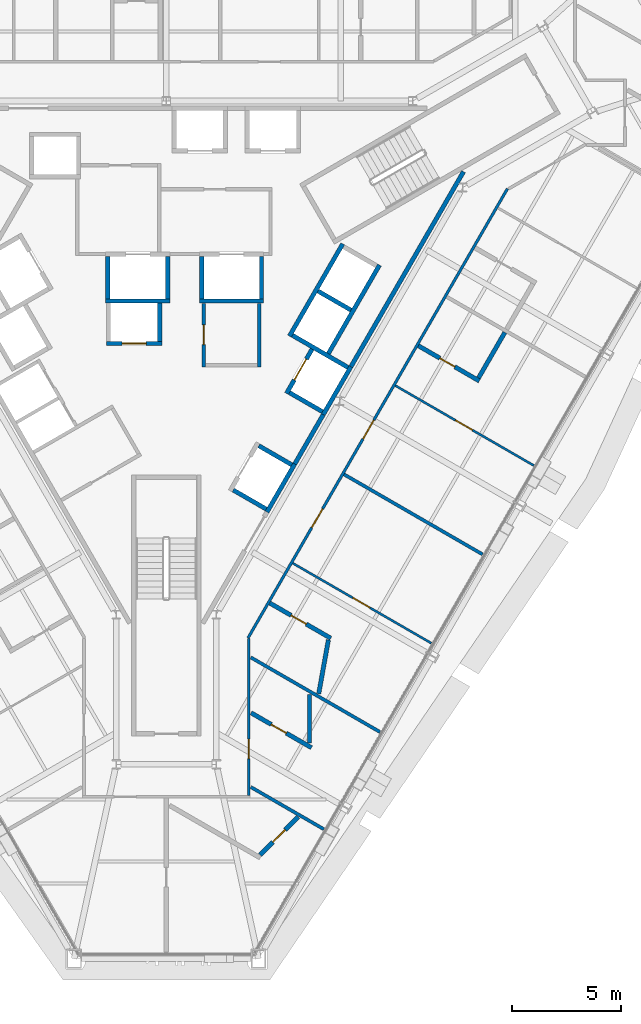
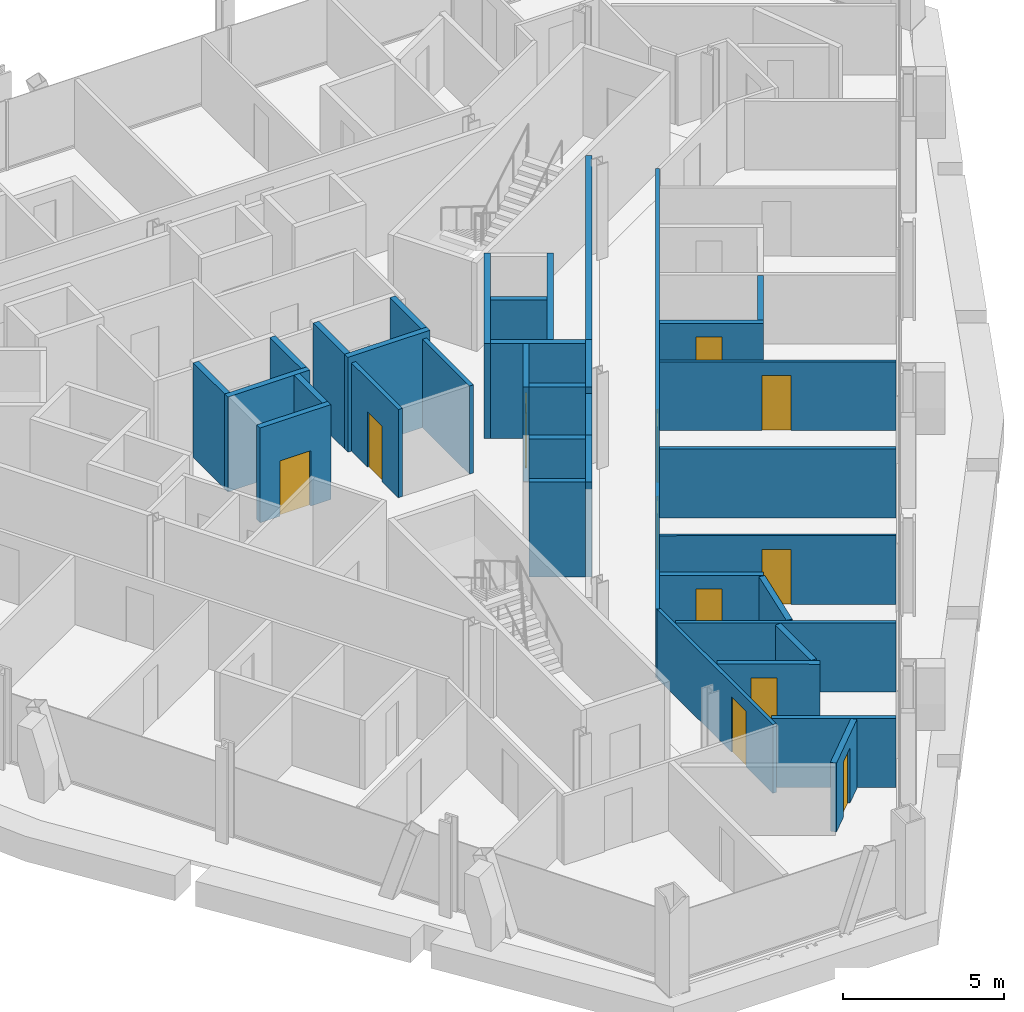
# One storey, part 11 of 16: 36 walls, 12 doors, 12 openings.
"""IFC4 building model written with IfcOpenShell, lengths in metres."""

from ifc_helpers import new_model, si_unit, direction, frame, frame_2d, origin, place, context, subcontext, project, spatial, rectangle, extrude, material, layer, layer_set, type_object, element, fill, save


model = new_model("IFC4")

# Units and contexts
model_context = context("Model", 3, precision=1e-05, world=origin(), true_north=direction((0.0, 1.0)))
body_context = subcontext(model_context, "Body", "Model", "MODEL_VIEW")
ifc_project = project(units=[si_unit("LENGTHUNIT", "METRE"), si_unit("AREAUNIT", "SQUARE_METRE"), si_unit("VOLUMEUNIT", "CUBIC_METRE"), si_unit("PLANEANGLEUNIT", "RADIAN"), si_unit("MASSUNIT", "GRAM", prefix="KILO")], contexts=[model_context])

# Site, building, storey
site_placement = place(None, origin())
site = spatial("IfcSite", under=ifc_project, at=site_placement, CompositionType="ELEMENT")
building_placement = place(site_placement, origin())
building = spatial("IfcBuilding", under=site, at=building_placement, Name="Verrane Prism Tower", CompositionType="ELEMENT")
storey_placement = place(building_placement, frame((0.0, 0.0, 110.800048828125)))
storey = spatial("IfcBuildingStorey", under=building, at=storey_placement, Name="L26", CompositionType="ELEMENT", Elevation=110.800048828125)

# Walls
ifc_material_1 = material(Name="Gypsum board partition", Category="other")
ifc_layer_1 = layer(ifc_material_1, 0.199951171875)
ifc_layer_set_1 = layer_set([ifc_layer_1], Name="CW-200 core boundary wall 2 h")
wall_type_1 = type_object("IfcWallType", Name="CW-200 core boundary wall 2 h", PredefinedType="PARTITIONING", material=ifc_layer_set_1)
wall_1_placement = place(storey_placement, frame((5.906005859375, -7.489990234375, 0.0), z_axis=(0.0, 0.0, 1.0), x_axis=(0.500252727967, 0.865879442048, 0.0)))
element("IfcWall", 1, at=wall_1_placement, inside=storey, type_object=wall_type_1, Name="Core boundary wall CW3-005", PredefinedType="PARTITIONING", context=body_context, shape_type="SweptSolid", body=[
    extrude(rectangle(XDim=2.616943359375, YDim=0.199951171875, at=frame_2d((1.30859375, 0.0))), origin(), (0.0, 0.0, 1.0), 3.349853515625),
])
wall_2_placement = place(storey_placement, frame((8.491943359375, -3.011962890625, 0.0), z_axis=(0.0, 0.0, 1.0), x_axis=(0.499972957231, 0.866041016371, 0.0)))
element("IfcWall", 2, at=wall_2_placement, inside=storey, type_object=wall_type_1, Name="Core boundary wall CW3-007", PredefinedType="PARTITIONING", context=body_context, shape_type="SweptSolid", body=[
    extrude(rectangle(XDim=10.3486328125, YDim=0.199951171875, at=frame_2d((5.17431640625, 0.0))), origin(), (0.0, 0.0, 1.0), 3.349853515625),
])

# Wall, opening, door
ifc_material_2 = material(Name="Gypsum board shaft wall assembly", Category="other")
ifc_layer_2 = layer(ifc_material_2, 0.199951171875)
ifc_layer_set_2 = layer_set([ifc_layer_2], Name="HW-200 lift shaft wall 2 h")
wall_type_2 = type_object("IfcWallType", Name="HW-200 lift shaft wall 2 h", PredefinedType="PARTITIONING", material=ifc_layer_set_2)
wall_3_placement = place(storey_placement, frame((-2.7548828125, -1.949951171875, 0.0), z_axis=(0.0, 0.0, 1.0), x_axis=(1.0, 0.0, 0.0)))
wall_3 = element("IfcWall", 3, at=wall_3_placement, inside=storey, type_object=wall_type_2, Name="Lift shaft wall", PredefinedType="PARTITIONING", context=body_context, shape_type="SweptSolid", body=[
    extrude(rectangle(XDim=2.5498046875, YDim=0.199951171875, at=frame_2d((1.27490234375, 0.0))), origin(), (0.0, 0.0, 1.0), 3.599853515625),
])
opening_1_placement = place(wall_3_placement, frame((0.72509765625, 0.0, 0.0)))
opening_1 = element("IfcOpeningElement", 4, at=opening_1_placement, cuts=wall_3, Name="Opening D24504", PredefinedType="OPENING", context=body_context, shape_type="SweptSolid", body=[
    extrude(rectangle(XDim=1.10009765625, YDim=2.10009765625, at=frame_2d((0.550048828125, 1.050048828125))), frame((0.0, 0.10986328125, 0.0), z_axis=(0.0, -1.0, 0.0), x_axis=(1.0, 0.0, 0.0)), (0.0, 0.0, 1.0), 0.219970703125),
])
ifc_material_3 = material(Name="Stainless steel sliding landing door", Category="steel")
door_type_1 = type_object("IfcDoorType", Name="LD-1100x2100 lift landing door FD90 sliding", OperationType="NOTDEFINED", PredefinedType="DOOR", material=ifc_material_3)
door_1_placement = place(opening_1_placement, origin())
door_1 = element("IfcDoor", 5, at=door_1_placement, inside=storey, type_object=door_type_1, Name="Bank A lift 2 landing door", OperationType="SLIDING_TO_RIGHT", OverallHeight=2.10009765625, OverallWidth=1.10009765625, PredefinedType="DOOR", context=body_context, shape_type="SweptSolid", body=[
    extrude(rectangle(XDim=1.10009765625, YDim=2.10009765625, at=frame_2d((0.550048828125, 1.050048828125))), frame((0.0, 0.02490234375, 0.0), z_axis=(0.0, -1.0, 0.0), x_axis=(1.0, 0.0, 0.0)), (0.0, 0.0, 1.0), 0.050048828125),
])
fill(opening_1, door_1)

# Walls
wall_4_placement = place(storey_placement, frame((-2.784912109375, 0.0, 0.0), z_axis=(0.0, 0.0, 1.0), x_axis=(1.0, 0.0, 0.0)))
element("IfcWall", 6, at=wall_4_placement, inside=storey, type_object=wall_type_2, Name="Lift shaft wall", PredefinedType="PARTITIONING", context=body_context, shape_type="SweptSolid", body=[
    extrude(rectangle(XDim=2.949951171875, YDim=0.199951171875, at=frame_2d((1.47509765625, 0.0))), origin(), (0.0, 0.0, 1.0), 3.599853515625),
])
wall_5_placement = place(storey_placement, frame((1.52490234375, 0.0, 0.0), z_axis=(0.0, 0.0, 1.0), x_axis=(1.0, 0.0, 0.0)))
element("IfcWall", 7, at=wall_5_placement, inside=storey, type_object=wall_type_2, Name="Lift shaft wall", PredefinedType="PARTITIONING", context=body_context, shape_type="SweptSolid", body=[
    extrude(rectangle(XDim=2.9501953125, YDim=0.199951171875, at=frame_2d((1.47509765625, 0.0))), origin(), (0.0, 0.0, 1.0), 3.599853515625),
])
wall_6_placement = place(storey_placement, frame((4.63037109375, -9.69970703125, 0.0), z_axis=(0.0, 0.0, 1.0), x_axis=(0.500062241894, 0.865989465428, 0.0)))
element("IfcWall", 8, at=wall_6_placement, inside=storey, type_object=wall_type_2, Name="Lift shaft wall", PredefinedType="PARTITIONING", context=body_context, shape_type="SweptSolid", body=[
    extrude(rectangle(XDim=2.550048828125, YDim=0.199951171875, at=frame_2d((1.27490234375, 0.0))), origin(), (0.0, 0.0, 1.0), 3.599853515625),
])
wall_7_placement = place(storey_placement, frame((7.215576171875, -5.222412109375, 0.0), z_axis=(0.0, 0.0, 1.0), x_axis=(0.499990435942, 0.866030925526, 0.0)))
element("IfcWall", 9, at=wall_7_placement, inside=storey, type_object=wall_type_2, Name="Lift shaft wall", PredefinedType="PARTITIONING", context=body_context, shape_type="SweptSolid", body=[
    extrude(rectangle(XDim=2.5498046875, YDim=0.199951171875, at=frame_2d((1.27490234375, 0.0))), origin(), (0.0, 0.0, 1.0), 3.599853515625),
])
wall_8_placement = place(storey_placement, frame((7.451171875, -2.4140625, 0.0), z_axis=(0.0, 0.0, 1.0), x_axis=(0.500016218704, 0.866016039709, 0.0)))
element("IfcWall", 10, at=wall_8_placement, inside=storey, type_object=wall_type_2, Name="Lift shaft wall", PredefinedType="PARTITIONING", context=body_context, shape_type="SweptSolid", body=[
    extrude(rectangle(XDim=4.699951171875, YDim=0.199951171875, at=frame_2d((2.35009765625, 0.0))), origin(), (0.0, 0.0, 1.0), 3.599853515625),
])

# Wall, opening, door
wall_9_placement = place(storey_placement, frame((5.52685546875, -4.247314453125, 0.0), z_axis=(0.0, 0.0, 1.0), x_axis=(0.499938297808, 0.866061024631, 0.0)))
wall_9 = element("IfcWall", 11, at=wall_9_placement, inside=storey, type_object=wall_type_2, Name="Lift shaft wall", PredefinedType="PARTITIONING", context=body_context, shape_type="SweptSolid", body=[
    extrude(rectangle(XDim=2.349853515625, YDim=0.199951171875, at=frame_2d((1.1748046875, 0.0))), origin(), (0.0, 0.0, 1.0), 3.599853515625),
])
opening_2_placement = place(wall_9_placement, frame((0.72509765625, 0.0, 0.0)))
opening_2 = element("IfcOpeningElement", 12, at=opening_2_placement, cuts=wall_9, Name="Opening D24507", PredefinedType="OPENING", context=body_context, shape_type="SweptSolid", body=[
    extrude(rectangle(XDim=1.10009765625, YDim=2.10009765625, at=frame_2d((0.550048828125, 1.050048828125))), frame((0.0, 0.10986328125, 0.0), z_axis=(0.0, -1.0, 0.0), x_axis=(1.0, 0.0, 0.0)), (0.0, 0.0, 1.0), 0.219970703125),
])
door_2_placement = place(opening_2_placement, origin())
door_2 = element("IfcDoor", 13, at=door_2_placement, inside=storey, type_object=door_type_1, Name="Bank A lift 5 landing door", OperationType="SLIDING_TO_LEFT", OverallHeight=2.10009765625, OverallWidth=1.10009765625, PredefinedType="DOOR", context=body_context, shape_type="SweptSolid", body=[
    extrude(rectangle(XDim=1.10009765625, YDim=2.10009765625, at=frame_2d((0.550048828125, 1.050048828125))), frame((0.0, 0.02490234375, 0.0), z_axis=(0.0, -1.0, 0.0), x_axis=(1.0, 0.0, 0.0)), (0.0, 0.0, 1.0), 0.050048828125),
])
fill(opening_2, door_2)

# Walls
wall_10_placement = place(storey_placement, frame((5.66259765625, -1.6123046875, 0.0), z_axis=(0.0, 0.0, 1.0), x_axis=(0.49998122708, 0.866036242063, 0.0)))
element("IfcWall", 14, at=wall_10_placement, inside=storey, type_object=wall_type_2, Name="Lift shaft wall", PredefinedType="PARTITIONING", context=body_context, shape_type="SweptSolid", body=[
    extrude(rectangle(XDim=4.900146484375, YDim=0.199951171875, at=frame_2d((2.4501953125, 0.0))), origin(), (0.0, 0.0, 1.0), 3.599853515625),
])
for number, where, z_axis, x_axis, name in (
    (15, (4.375, 0.10009765625, 0.0), (0.0, 0.0, 1.0), (0.0, 1.0, 0.0), "Lift shaft wall"),
    (16, (1.625, 0.10009765625, 0.0), (0.0, 0.0, 1.0), (0.0, 1.0, 0.0), "Lift shaft wall"),
    (17, (0.06494140625, 0.10009765625, 0.0), (0.0, 0.0, 1.0), (0.0, 1.0, 0.0), "Lift shaft wall"),
):
    element("IfcWall", number, at=place(storey_placement, frame(where, z_axis=z_axis, x_axis=x_axis)), inside=storey, type_object=wall_type_2, Name=name, PredefinedType="PARTITIONING", context=body_context, shape_type="SweptSolid", body=[
        extrude(rectangle(XDim=1.949951171875, YDim=0.199951171875, at=frame_2d((0.97509765625, 0.0))), origin(), (0.0, 0.0, 1.0), 3.599853515625),
    ])
wall_11_placement = place(storey_placement, frame((-0.304931640625, -1.85009765625, 0.0), z_axis=(0.0, 0.0, 1.0), x_axis=(0.0, 1.0, 0.0)))
element("IfcWall", 18, at=wall_11_placement, inside=storey, type_object=wall_type_2, Name="Lift shaft wall", PredefinedType="PARTITIONING", context=body_context, shape_type="SweptSolid", body=[
    extrude(rectangle(XDim=1.75, YDim=0.199951171875, at=frame_2d((0.875, 0.0))), origin(), (0.0, 0.0, 1.0), 3.599853515625),
])
wall_12_placement = place(storey_placement, frame((-2.68505859375, 0.10009765625, 0.0), z_axis=(0.0, 0.0, 1.0), x_axis=(0.0, 1.0, 0.0)))
element("IfcWall", 19, at=wall_12_placement, inside=storey, type_object=wall_type_2, Name="Lift shaft wall", PredefinedType="PARTITIONING", context=body_context, shape_type="SweptSolid", body=[
    extrude(rectangle(XDim=1.949951171875, YDim=0.199951171875, at=frame_2d((0.97509765625, 0.0))), origin(), (0.0, 0.0, 1.0), 3.599853515625),
])
wall_13_placement = place(storey_placement, frame((8.48974609375, -0.41552734375, 0.0), z_axis=(0.0, 0.0, 1.0), x_axis=(-0.866036909293, 0.499980071345, 0.0)))
element("IfcWall", 20, at=wall_13_placement, inside=storey, type_object=wall_type_2, Name="Lift shaft wall", PredefinedType="PARTITIONING", context=body_context, shape_type="SweptSolid", body=[
    extrude(rectangle(XDim=1.75, YDim=0.199951171875, at=frame_2d((0.875, 0.0))), origin(), (0.0, 0.0, 1.0), 3.599853515625),
])
wall_14_placement = place(storey_placement, frame((8.35400390625, -3.050537109375, 0.0), z_axis=(0.0, 0.0, 1.0), x_axis=(-0.866060182126, 0.499939757307, 0.0)))
element("IfcWall", 21, at=wall_14_placement, inside=storey, type_object=wall_type_2, Name="Lift shaft wall", PredefinedType="PARTITIONING", context=body_context, shape_type="SweptSolid", body=[
    extrude(rectangle(XDim=2.949951171875, YDim=0.199951171875, at=frame_2d((1.47509765625, 0.0))), origin(), (0.0, 0.0, 1.0), 3.599853515625),
])
wall_15_placement = place(storey_placement, frame((7.178955078125, -5.085693359375, 0.0), z_axis=(0.0, 0.0, 1.0), x_axis=(-0.866036909293, 0.499980071345, 0.0)))
element("IfcWall", 22, at=wall_15_placement, inside=storey, type_object=wall_type_2, Name="Lift shaft wall", PredefinedType="PARTITIONING", context=body_context, shape_type="SweptSolid", body=[
    extrude(rectangle(XDim=1.75, YDim=0.199951171875, at=frame_2d((0.875, 0.0))), origin(), (0.0, 0.0, 1.0), 3.599853515625),
])
wall_16_placement = place(storey_placement, frame((5.768798828125, -7.528076171875, 0.0), z_axis=(0.0, 0.0, 1.0), x_axis=(-0.866002029911, 0.500040482552, 0.0)))
element("IfcWall", 23, at=wall_16_placement, inside=storey, type_object=wall_type_2, Name="Lift shaft wall", PredefinedType="PARTITIONING", context=body_context, shape_type="SweptSolid", body=[
    extrude(rectangle(XDim=1.749755859375, YDim=0.199951171875, at=frame_2d((0.875, 0.0))), origin(), (0.0, 0.0, 1.0), 3.599853515625),
])
wall_17_placement = place(storey_placement, frame((4.593994140625, -9.563232421875, 0.0), z_axis=(0.0, 0.0, 1.0), x_axis=(-0.866036909293, 0.499980071345, 0.0)))
element("IfcWall", 24, at=wall_17_placement, inside=storey, type_object=wall_type_2, Name="Lift shaft wall", PredefinedType="PARTITIONING", context=body_context, shape_type="SweptSolid", body=[
    extrude(rectangle(XDim=1.75, YDim=0.199951171875, at=frame_2d((0.875, 0.0))), origin(), (0.0, 0.0, 1.0), 3.599853515625),
])

# Wall, opening, door
ifc_material_4 = material(Name="Gypsum board partition", Category="other")
ifc_layer_3 = layer(ifc_material_4, 0.10009765625)
ifc_layer_set_3 = layer_set([ifc_layer_3], Name="PW-100 room partition")
wall_type_3 = type_object("IfcWallType", Name="PW-100 room partition", PredefinedType="PARTITIONING", material=ifc_layer_set_3)
wall_18_placement = place(storey_placement, frame((12.1826171875, -15.728759765625, 0.0), z_axis=(0.0, 0.0, 1.0), x_axis=(-0.866066702559, 0.499928461601, 0.0)))
wall_18 = element("IfcWall", 25, at=wall_18_placement, inside=storey, type_object=wall_type_3, Name="Room partition 052", PredefinedType="PARTITIONING", context=body_context, shape_type="SweptSolid", body=[
    extrude(rectangle(XDim=7.35205078125, YDim=0.10009765625, at=frame_2d((3.676025390625, 0.0))), origin(), (0.0, 0.0, 1.0), 2.613037109375),
])
opening_3_placement = place(wall_18_placement, frame((3.2646484375, 0.0, 0.0)))
opening_3 = element("IfcOpeningElement", 26, at=opening_3_placement, cuts=wall_18, Name="Opening D24004", PredefinedType="OPENING", context=body_context, shape_type="SweptSolid", body=[
    extrude(rectangle(XDim=0.89990234375, YDim=2.10009765625, at=frame_2d((0.449951171875, 1.050048828125))), frame((0.0, 0.06005859375, 0.0), z_axis=(0.0, -1.0, 0.0), x_axis=(1.0, 0.0, 0.0)), (0.0, 0.0, 1.0), 0.1201171875),
])
ifc_material_5 = material(Name="Timber veneered door leaf", Category="wood")
door_type_2 = type_object("IfcDoorType", Name="DR-900x2100 single leaf inner", OperationType="NOTDEFINED", PredefinedType="DOOR", material=ifc_material_5)
door_3_placement = place(opening_3_placement, origin())
door_3 = element("IfcDoor", 27, at=door_3_placement, inside=storey, type_object=door_type_2, Name="Suite Living Room door", OperationType="SINGLE_SWING_LEFT", OverallHeight=2.10009765625, OverallWidth=0.89990234375, PredefinedType="DOOR", context=body_context, shape_type="SweptSolid", body=[
    extrude(rectangle(XDim=0.89990234375, YDim=2.10009765625, at=frame_2d((0.449951171875, 1.050048828125))), frame((0.0, 0.02490234375, 0.0), z_axis=(0.0, -1.0, 0.0), x_axis=(1.0, 0.0, 0.0)), (0.0, 0.0, 1.0), 0.050048828125),
])
fill(opening_3, door_3)

wall_19_placement = place(storey_placement, frame((10.530029296875, -3.88623046875, 0.0), z_axis=(0.0, 0.0, 1.0), x_axis=(0.8660606245, -0.499938990969, 0.0)))
wall_19 = element("IfcWall", 28, at=wall_19_placement, inside=storey, type_object=wall_type_3, Name="Room partition 059", PredefinedType="PARTITIONING", context=body_context, shape_type="SweptSolid", body=[
    extrude(rectangle(XDim=7.3525390625, YDim=0.10009765625, at=frame_2d((3.67626953125, 0.0))), origin(), (0.0, 0.0, 1.0), 2.613037109375),
])
opening_4_placement = place(wall_19_placement, frame((3.1875, 0.0, 0.0)))
opening_4 = element("IfcOpeningElement", 29, at=opening_4_placement, cuts=wall_19, Name="Opening D24007", PredefinedType="OPENING", context=body_context, shape_type="SweptSolid", body=[
    extrude(rectangle(XDim=0.89990234375, YDim=2.10009765625, at=frame_2d((0.449951171875, 1.050048828125))), frame((0.0, 0.06005859375, 0.0), z_axis=(0.0, -1.0, 0.0), x_axis=(1.0, 0.0, 0.0)), (0.0, 0.0, 1.0), 0.1201171875),
])
door_4_placement = place(opening_4_placement, origin())
door_4 = element("IfcDoor", 30, at=door_4_placement, inside=storey, type_object=door_type_2, Name="Suite Living Room door", OperationType="SINGLE_SWING_LEFT", OverallHeight=2.10009765625, OverallWidth=0.89990234375, PredefinedType="DOOR", context=body_context, shape_type="SweptSolid", body=[
    extrude(rectangle(XDim=0.89990234375, YDim=2.10009765625, at=frame_2d((0.449951171875, 1.050048828125))), frame((0.0, 0.02490234375, 0.0), z_axis=(0.0, -1.0, 0.0), x_axis=(1.0, 0.0, 0.0)), (0.0, 0.0, 1.0), 0.050048828125),
])
fill(opening_4, door_4)

ifc_material_6 = material(Name="Gypsum board partition", Category="other")
ifc_layer_4 = layer(ifc_material_6, 0.125)
ifc_layer_set_4 = layer_set([ifc_layer_4], Name="PW-125 corridor wall 1 h")
wall_type_4 = type_object("IfcWallType", Name="PW-125 corridor wall 1 h", PredefinedType="PARTITIONING", material=ifc_layer_set_4)
wall_20_placement = place(storey_placement, frame((3.787109375, -15.52490234375, 0.0), z_axis=(0.0, 0.0, 1.0), x_axis=(0.0, -1.0, 0.0)))
wall_20 = element("IfcWall", 31, at=wall_20_placement, inside=storey, type_object=wall_type_4, Name="Corridor wall 045", PredefinedType="PARTITIONING", context=body_context, shape_type="SweptSolid", body=[
    extrude(rectangle(XDim=7.197021484375, YDim=0.125, at=frame_2d((3.5986328125, 0.0))), origin(), (0.0, 0.0, 1.0), 2.613037109375),
])
opening_5_placement = place(wall_20_placement, frame((4.612060546875, 0.0, 0.0)))
opening_5 = element("IfcOpeningElement", 32, at=opening_5_placement, cuts=wall_20, Name="Opening D24001", PredefinedType="OPENING", context=body_context, shape_type="SweptSolid", body=[
    extrude(rectangle(XDim=0.89990234375, YDim=2.10009765625, at=frame_2d((0.449951171875, 1.050048828125))), frame((0.0, 0.072509765625, 0.0), z_axis=(0.0, -1.0, 0.0), x_axis=(1.0, 0.0, 0.0)), (0.0, 0.0, 1.0), 0.14501953125),
])
ifc_material_7 = material(Name="Timber veneered door leaf", Category="wood")
door_type_3 = type_object("IfcDoorType", Name="DR-900x2100 FD20 single leaf unit", OperationType="NOTDEFINED", PredefinedType="DOOR", material=ifc_material_7)
door_5_placement = place(opening_5_placement, origin())
door_5 = element("IfcDoor", 33, at=door_5_placement, inside=storey, type_object=door_type_3, Name="Guest Room door", OperationType="SINGLE_SWING_RIGHT", OverallHeight=2.10009765625, OverallWidth=0.89990234375, PredefinedType="DOOR", context=body_context, shape_type="SweptSolid", body=[
    extrude(rectangle(XDim=0.89990234375, YDim=2.10009765625, at=frame_2d((0.449951171875, 1.050048828125))), frame((0.0, 0.02490234375, 0.0), z_axis=(0.0, -1.0, 0.0), x_axis=(1.0, 0.0, 0.0)), (0.0, 0.0, 1.0), 0.050048828125),
])
fill(opening_5, door_5)

# Wall, openings, doors
wall_21_placement = place(storey_placement, frame((15.684326171875, 5.1650390625, 0.0), z_axis=(0.0, 0.0, 1.0), x_axis=(-0.500027787016, -0.866009360349, 0.0)))
wall_21 = element("IfcWall", 34, at=wall_21_placement, inside=storey, type_object=wall_type_4, Name="Corridor wall 049", PredefinedType="PARTITIONING", context=body_context, shape_type="SweptSolid", body=[
    extrude(rectangle(XDim=23.855712890625, YDim=0.125, at=frame_2d((11.927734375, 0.0))), origin(), (0.0, 0.0, 1.0), 2.613037109375),
])
opening_6_placement = place(wall_21_placement, frame((16.99609375, 0.0, 0.0)))
opening_6 = element("IfcOpeningElement", 35, at=opening_6_placement, cuts=wall_21, Name="Opening D24003", PredefinedType="OPENING", context=body_context, shape_type="SweptSolid", body=[
    extrude(rectangle(XDim=1.0, YDim=2.10009765625, at=frame_2d((0.5, 1.050048828125))), frame((0.0, 0.072509765625, 0.0), z_axis=(0.0, -1.0, 0.0), x_axis=(1.0, 0.0, 0.0)), (0.0, 0.0, 1.0), 0.14501953125),
])
opening_7_placement = place(wall_21_placement, frame((12.2802734375, 0.0, 0.0)))
opening_7 = element("IfcOpeningElement", 36, at=opening_7_placement, cuts=wall_21, Name="Opening D24006", PredefinedType="OPENING", context=body_context, shape_type="SweptSolid", body=[
    extrude(rectangle(XDim=1.0, YDim=2.10009765625, at=frame_2d((0.5, 1.050048828125))), frame((0.0, 0.072509765625, 0.0), z_axis=(0.0, -1.0, 0.0), x_axis=(1.0, 0.0, 0.0)), (0.0, 0.0, 1.0), 0.14501953125),
])
ifc_material_8 = material(Name="Timber veneered door leaf", Category="wood")
door_type_4 = type_object("IfcDoorType", Name="DR-1000x2100 FD20 single leaf unit", OperationType="NOTDEFINED", PredefinedType="DOOR", material=ifc_material_8)
door_6_placement = place(opening_6_placement, origin())
door_6 = element("IfcDoor", 37, at=door_6_placement, inside=storey, type_object=door_type_4, Name="Suite Living Room door", OperationType="SINGLE_SWING_RIGHT", OverallHeight=2.10009765625, OverallWidth=1.0, PredefinedType="DOOR", context=body_context, shape_type="SweptSolid", body=[
    extrude(rectangle(XDim=1.0, YDim=2.10009765625, at=frame_2d((0.5, 1.050048828125))), frame((0.0, 0.02490234375, 0.0), z_axis=(0.0, -1.0, 0.0), x_axis=(1.0, 0.0, 0.0)), (0.0, 0.0, 1.0), 0.050048828125),
])
fill(opening_6, door_6)
door_7_placement = place(opening_7_placement, origin())
door_7 = element("IfcDoor", 38, at=door_7_placement, inside=storey, type_object=door_type_4, Name="Suite Living Room door", OperationType="SINGLE_SWING_LEFT", OverallHeight=2.10009765625, OverallWidth=1.0, PredefinedType="DOOR", context=body_context, shape_type="SweptSolid", body=[
    extrude(rectangle(XDim=1.0, YDim=2.10009765625, at=frame_2d((0.5, 1.050048828125))), frame((0.0, 0.02490234375, 0.0), z_axis=(0.0, -1.0, 0.0), x_axis=(1.0, 0.0, 0.0)), (0.0, 0.0, 1.0), 0.050048828125),
])
fill(opening_7, door_7)

# Walls
ifc_material_9 = material(Name="Gypsum board partition", Category="other")
ifc_layer_5 = layer(ifc_material_9, 0.14990234375)
ifc_layer_set_5 = layer_set([ifc_layer_5], Name="PW-150 demising wall 1 h")
wall_type_5 = type_object("IfcWallType", Name="PW-150 demising wall 1 h", PredefinedType="PARTITIONING", material=ifc_layer_set_5)
wall_22_placement = place(storey_placement, frame((3.886962890625, -22.3447265625, 0.0), z_axis=(0.0, 0.0, 1.0), x_axis=(0.865997824551, -0.500047765591, 0.0)))
element("IfcWall", 39, at=wall_22_placement, inside=storey, type_object=wall_type_5, Name="Demising wall 046", PredefinedType="PARTITIONING", context=body_context, shape_type="SweptSolid", body=[
    extrude(rectangle(XDim=3.8759765625, YDim=0.14990234375, at=frame_2d((1.93798828125, 0.0))), origin(), (0.0, 0.0, 1.0), 2.613037109375),
])
wall_23_placement = place(storey_placement, frame((3.886962890625, -16.384765625, 0.0), z_axis=(0.0, 0.0, 1.0), x_axis=(0.86602133163, -0.500007053112, 0.0)))
element("IfcWall", 40, at=wall_23_placement, inside=storey, type_object=wall_type_5, Name="Demising wall 048", PredefinedType="PARTITIONING", context=body_context, shape_type="SweptSolid", body=[
    extrude(rectangle(XDim=6.8564453125, YDim=0.14990234375, at=frame_2d((3.42822265625, 0.0))), origin(), (0.0, 0.0, 1.0), 2.613037109375),
])
wall_24_placement = place(storey_placement, frame((8.173095703125, -7.96923828125, 0.0), z_axis=(0.0, 0.0, 1.0), x_axis=(0.86596990005, -0.500096122968, 0.0)))
element("IfcWall", 41, at=wall_24_placement, inside=storey, type_object=wall_type_5, Name="Demising wall 056", PredefinedType="PARTITIONING", context=body_context, shape_type="SweptSolid", body=[
    extrude(rectangle(XDim=7.35205078125, YDim=0.14990234375, at=frame_2d((3.676025390625, 0.0))), origin(), (0.0, 0.0, 1.0), 2.613037109375),
])

# Wall, opening, door
ifc_material_10 = material(Name="Gypsum board partition", Category="other")
ifc_layer_6 = layer(ifc_material_10, 0.199951171875)
ifc_layer_set_6 = layer_set([ifc_layer_6], Name="PW-200 plumbing wall")
wall_type_6 = type_object("IfcWallType", Name="PW-200 plumbing wall", PredefinedType="PARTITIONING", material=ifc_layer_set_6)
wall_25_placement = place(storey_placement, frame((3.8994140625, -18.931884765625, 0.0), z_axis=(0.0, 0.0, 1.0), x_axis=(0.865973625928, -0.500089671156, 0.0)))
wall_25 = element("IfcWall", 42, at=wall_25_placement, inside=storey, type_object=wall_type_6, Name="Plumbing wall 047", PredefinedType="PARTITIONING", context=body_context, shape_type="SweptSolid", body=[
    extrude(rectangle(XDim=3.20361328125, YDim=0.199951171875, at=frame_2d((1.601806640625, 0.0))), origin(), (0.0, 0.0, 1.0), 2.613037109375),
])
opening_8_placement = place(wall_25_placement, frame((1.070068359375, 0.0, 0.0)))
opening_8 = element("IfcOpeningElement", 43, at=opening_8_placement, cuts=wall_25, Name="Opening D24002", PredefinedType="OPENING", context=body_context, shape_type="SweptSolid", body=[
    extrude(rectangle(XDim=0.800048828125, YDim=2.10009765625, at=frame_2d((0.39990234375, 1.050048828125))), frame((0.0, 0.10986328125, 0.0), z_axis=(0.0, -1.0, 0.0), x_axis=(1.0, 0.0, 0.0)), (0.0, 0.0, 1.0), 0.219970703125),
])
ifc_material_11 = material(Name="Timber veneered door leaf", Category="wood")
door_type_5 = type_object("IfcDoorType", Name="DR-800x2100 single leaf bath", OperationType="NOTDEFINED", PredefinedType="DOOR", material=ifc_material_11)
door_8_placement = place(opening_8_placement, origin())
door_8 = element("IfcDoor", 44, at=door_8_placement, inside=storey, type_object=door_type_5, Name="En-Suite door", OperationType="SINGLE_SWING_RIGHT", OverallHeight=2.10009765625, OverallWidth=0.800048828125, PredefinedType="DOOR", context=body_context, shape_type="SweptSolid", body=[
    extrude(rectangle(XDim=0.800048828125, YDim=2.10009765625, at=frame_2d((0.39990234375, 1.050048828125))), frame((0.0, 0.02490234375, 0.0), z_axis=(0.0, -1.0, 0.0), x_axis=(1.0, 0.0, 0.0)), (0.0, 0.0, 1.0), 0.050048828125),
])
fill(opening_8, door_8)

wall_26_placement = place(storey_placement, frame((4.318359375, -25.45654296875, 0.0), z_axis=(0.0, 0.0, 1.0), x_axis=(0.70690846209, 0.707305044677, 0.0)))
wall_26 = element("IfcWall", 45, at=wall_26_placement, inside=storey, type_object=wall_type_6, Name="Plumbing wall 050", PredefinedType="PARTITIONING", context=body_context, shape_type="SweptSolid", body=[
    extrude(rectangle(XDim=2.46240234375, YDim=0.199951171875, at=frame_2d((1.231201171875, 0.0))), origin(), (0.0, 0.0, 1.0), 2.613037109375),
])
opening_9_placement = place(wall_26_placement, frame((0.824951171875, 0.0, 0.0)))
opening_9 = element("IfcOpeningElement", 46, at=opening_9_placement, cuts=wall_26, Name="Opening D24042", PredefinedType="OPENING", context=body_context, shape_type="SweptSolid", body=[
    extrude(rectangle(XDim=0.800048828125, YDim=2.10009765625, at=frame_2d((0.39990234375, 1.050048828125))), frame((0.0, 0.10986328125, 0.0), z_axis=(0.0, -1.0, 0.0), x_axis=(1.0, 0.0, 0.0)), (0.0, 0.0, 1.0), 0.219970703125),
])
door_9_placement = place(opening_9_placement, origin())
door_9 = element("IfcDoor", 47, at=door_9_placement, inside=storey, type_object=door_type_5, Name="En-Suite door", OperationType="SINGLE_SWING_RIGHT", OverallHeight=2.10009765625, OverallWidth=0.800048828125, PredefinedType="DOOR", context=body_context, shape_type="SweptSolid", body=[
    extrude(rectangle(XDim=0.800048828125, YDim=2.10009765625, at=frame_2d((0.39990234375, 1.050048828125))), frame((0.0, 0.02490234375, 0.0), z_axis=(0.0, -1.0, 0.0), x_axis=(1.0, 0.0, 0.0)), (0.0, 0.0, 1.0), 0.050048828125),
])
fill(opening_9, door_9)

wall_27_placement = place(storey_placement, frame((7.5615234375, -15.5029296875, 0.0), z_axis=(0.0, 0.0, 1.0), x_axis=(-0.866078705744, 0.499907666931, 0.0)))
wall_27 = element("IfcWall", 48, at=wall_27_placement, inside=storey, type_object=wall_type_6, Name="Plumbing wall 051", PredefinedType="PARTITIONING", context=body_context, shape_type="SweptSolid", body=[
    extrude(rectangle(XDim=3.23291015625, YDim=0.199951171875, at=frame_2d((1.616455078125, 0.0))), origin(), (0.0, 0.0, 1.0), 2.613037109375),
])
opening_10_placement = place(wall_27_placement, frame((1.300537109375, 0.0, 0.0)))
opening_10 = element("IfcOpeningElement", 49, at=opening_10_placement, cuts=wall_27, Name="Opening D24005", PredefinedType="OPENING", context=body_context, shape_type="SweptSolid", body=[
    extrude(rectangle(XDim=0.800048828125, YDim=2.10009765625, at=frame_2d((0.39990234375, 1.050048828125))), frame((0.0, 0.10986328125, 0.0), z_axis=(0.0, -1.0, 0.0), x_axis=(1.0, 0.0, 0.0)), (0.0, 0.0, 1.0), 0.219970703125),
])
door_10_placement = place(opening_10_placement, origin())
door_10 = element("IfcDoor", 50, at=door_10_placement, inside=storey, type_object=door_type_5, Name="En-Suite door", OperationType="SINGLE_SWING_RIGHT", OverallHeight=2.10009765625, OverallWidth=0.800048828125, PredefinedType="DOOR", context=body_context, shape_type="SweptSolid", body=[
    extrude(rectangle(XDim=0.800048828125, YDim=2.10009765625, at=frame_2d((0.39990234375, 1.050048828125))), frame((0.0, 0.02490234375, 0.0), z_axis=(0.0, -1.0, 0.0), x_axis=(1.0, 0.0, 0.0)), (0.0, 0.0, 1.0), 0.050048828125),
])
fill(opening_10, door_10)

# Walls
wall_28_placement = place(storey_placement, frame((6.5869140625, -20.31396484375, 0.0), z_axis=(0.0, 0.0, 1.0), x_axis=(0.0, 1.0, 0.0)))
element("IfcWall", 51, at=wall_28_placement, inside=storey, type_object=wall_type_6, Name="Plumbing wall 053", PredefinedType="PARTITIONING", context=body_context, shape_type="SweptSolid", body=[
    extrude(rectangle(XDim=2.2265625, YDim=0.199951171875, at=frame_2d((1.11328125, 0.0))), origin(), (0.0, 0.0, 1.0), 2.613037109375),
])
wall_29_placement = place(storey_placement, frame((7.00732421875, -18.06005859375, 0.0), z_axis=(0.0, 0.0, 1.0), x_axis=(0.176615903702, 0.984279849717, 0.0)))
element("IfcWall", 52, at=wall_29_placement, inside=storey, type_object=wall_type_6, Name="Plumbing wall 054", PredefinedType="PARTITIONING", context=body_context, shape_type="SweptSolid", body=[
    extrude(rectangle(XDim=2.5185546875, YDim=0.199951171875, at=frame_2d((1.25927734375, 0.0))), origin(), (0.0, 0.0, 1.0), 2.613037109375),
])

# Wall, opening, door
wall_30_placement = place(storey_placement, frame((11.588134765625, -2.05419921875, 0.0), z_axis=(0.0, 0.0, 1.0), x_axis=(0.865983377851, -0.500072783988, 0.0)))
wall_30 = element("IfcWall", 53, at=wall_30_placement, inside=storey, type_object=wall_type_6, Name="Plumbing wall 060", PredefinedType="PARTITIONING", context=body_context, shape_type="SweptSolid", body=[
    extrude(rectangle(XDim=3.2373046875, YDim=0.199951171875, at=frame_2d((1.61865234375, 0.0))), origin(), (0.0, 0.0, 1.0), 2.613037109375),
])
opening_11_placement = place(wall_30_placement, frame((1.137451171875, 0.0, 0.0)))
opening_11 = element("IfcOpeningElement", 54, at=opening_11_placement, cuts=wall_30, Name="Opening D24008", PredefinedType="OPENING", context=body_context, shape_type="SweptSolid", body=[
    extrude(rectangle(XDim=0.800048828125, YDim=2.10009765625, at=frame_2d((0.39990234375, 1.050048828125))), frame((0.0, 0.10986328125, 0.0), z_axis=(0.0, -1.0, 0.0), x_axis=(1.0, 0.0, 0.0)), (0.0, 0.0, 1.0), 0.219970703125),
])
door_11_placement = place(opening_11_placement, origin())
door_11 = element("IfcDoor", 55, at=door_11_placement, inside=storey, type_object=door_type_5, Name="En-Suite door", OperationType="SINGLE_SWING_RIGHT", OverallHeight=2.10009765625, OverallWidth=0.800048828125, PredefinedType="DOOR", context=body_context, shape_type="SweptSolid", body=[
    extrude(rectangle(XDim=0.800048828125, YDim=2.10009765625, at=frame_2d((0.39990234375, 1.050048828125))), frame((0.0, 0.02490234375, 0.0), z_axis=(0.0, -1.0, 0.0), x_axis=(1.0, 0.0, 0.0)), (0.0, 0.0, 1.0), 0.050048828125),
])
fill(opening_11, door_11)

# Wall
wall_31_placement = place(storey_placement, frame((14.35498046875, -3.536376953125, 0.0), z_axis=(0.0, 0.0, 1.0), x_axis=(0.50002218001, 0.866012597771, 0.0)))
element("IfcWall", 56, at=wall_31_placement, inside=storey, type_object=wall_type_6, Name="Plumbing wall 067", PredefinedType="PARTITIONING", context=body_context, shape_type="SweptSolid", body=[
    extrude(rectangle(XDim=2.4208984375, YDim=0.199951171875, at=frame_2d((1.21044921875, 0.0))), origin(), (0.0, 0.0, 1.0), 2.613037109375),
])

# Wall, opening, door
ifc_material_12 = material(Name="Gypsum board partition", Category="other")
ifc_layer_7 = layer(ifc_material_12, 0.14990234375)
ifc_layer_set_7 = layer_set([ifc_layer_7], Name="RS-150 riser enclosure wall 1 h")
wall_type_7 = type_object("IfcWallType", Name="RS-150 riser enclosure wall 1 h", PredefinedType="PARTITIONING", material=ifc_layer_set_7)
wall_32_placement = place(storey_placement, frame((1.72509765625, -0.10205078125, 0.0), z_axis=(0.0, 0.0, 1.0), x_axis=(0.0, -1.0, 0.0)))
wall_32 = element("IfcWall", 57, at=wall_32_placement, inside=storey, type_object=wall_type_7, Name="Riser wall RS3-007", PredefinedType="PARTITIONING", context=body_context, shape_type="SweptSolid", body=[
    extrude(rectangle(XDim=2.9228515625, YDim=0.14990234375, at=frame_2d((1.46142578125, 0.0))), origin(), (0.0, 0.0, 1.0), 3.349853515625),
])
opening_12_placement = place(wall_32_placement, frame((0.998046875, 0.0, 0.0)))
opening_12 = element("IfcOpeningElement", 58, at=opening_12_placement, cuts=wall_32, Name="Opening D24518", PredefinedType="OPENING", context=body_context, shape_type="SweptSolid", body=[
    extrude(rectangle(XDim=0.89990234375, YDim=2.10009765625, at=frame_2d((0.449951171875, 1.050048828125))), frame((0.0, 0.0849609375, 0.0), z_axis=(0.0, -1.0, 0.0), x_axis=(1.0, 0.0, 0.0)), (0.0, 0.0, 1.0), 0.169921875),
])
ifc_material_13 = material(Name="Timber veneered door leaf", Category="wood")
door_type_6 = type_object("IfcDoorType", Name="DR-900x2100 FD20 single leaf store", OperationType="NOTDEFINED", PredefinedType="DOOR", material=ifc_material_13)
door_12_placement = place(opening_12_placement, origin())
door_12 = element("IfcDoor", 59, at=door_12_placement, inside=storey, type_object=door_type_6, Name="Room door D24518", OperationType="SINGLE_SWING_LEFT", OverallHeight=2.10009765625, OverallWidth=0.89990234375, PredefinedType="DOOR", context=body_context, shape_type="SweptSolid", body=[
    extrude(rectangle(XDim=0.89990234375, YDim=2.10009765625, at=frame_2d((0.449951171875, 1.050048828125))), frame((0.0, 0.02490234375, 0.0), z_axis=(0.0, -1.0, 0.0), x_axis=(1.0, 0.0, 0.0)), (0.0, 0.0, 1.0), 0.050048828125),
])
fill(opening_12, door_12)

# Wall
wall_33_placement = place(storey_placement, frame((4.27490234375, -3.02490234375, 0.0), z_axis=(0.0, 0.0, 1.0), x_axis=(0.0, 1.0, 0.0)))
element("IfcWall", 60, at=wall_33_placement, inside=storey, type_object=wall_type_7, Name="Riser wall RS3-009", PredefinedType="PARTITIONING", context=body_context, shape_type="SweptSolid", body=[
    extrude(rectangle(XDim=2.9228515625, YDim=0.14990234375, at=frame_2d((1.46142578125, 0.0))), origin(), (0.0, 0.0, 1.0), 3.349853515625),
])

save(model, "model.ifc")
